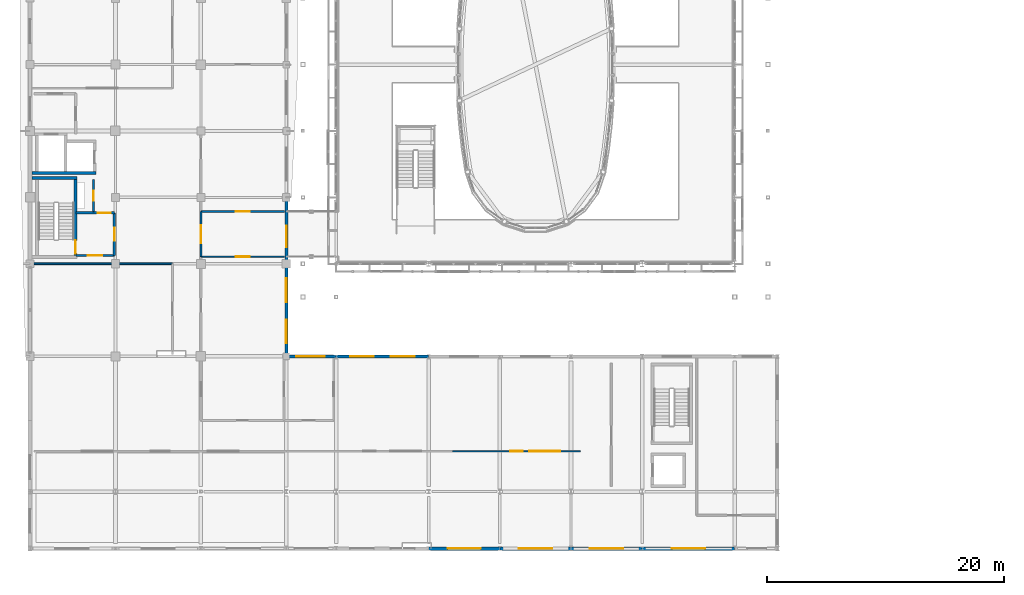
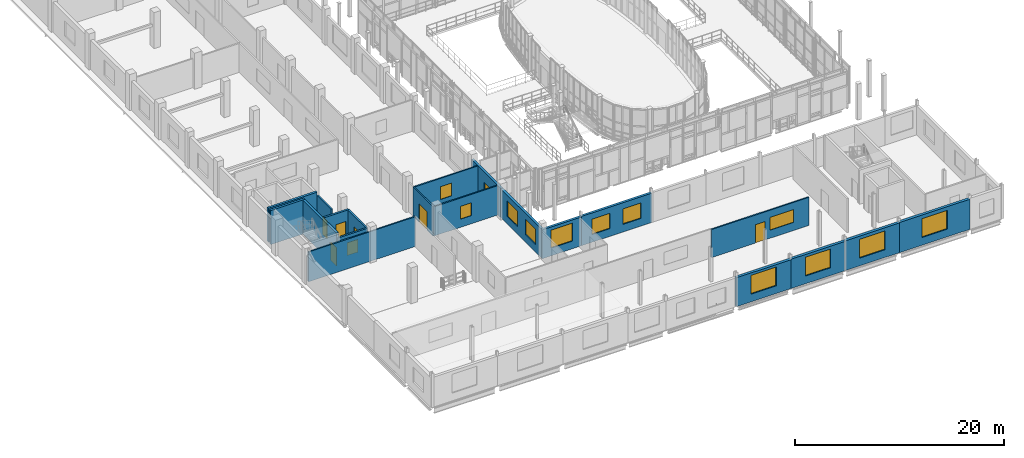
# One storey, part 93 of 121: 20 walls, 13 windows, 7 doors, 20 openings.
"""IFC4 building model written with IfcOpenShell, lengths in metres."""

import ifcopenshell
import ifcopenshell.guid

model = None  # the IFC model being written
_history = None  # IfcOwnerHistory: only IFC2X3 demands one
_inside = {}  # id of a spatial element -> (the spatial element, [elements in it])
_under = {}  # id of a project, library or spatial element -> (it, [spatial elements below it])
_declared = {}  # id of a project -> (the project, [libraries it declares])
_typed = {}  # id of a type object -> (the type object, [elements of that type])
_made_of = {}  # id of a material, layer set ... -> (it, [elements and type objects made of it])


def new_model(schema):
    """Start an empty IFC model of exactly this schema.

    Asked for "IFC4X3", IfcOpenShell would pick the latest addendum, in which some entities
    have other attributes; the version numbers below select the first issue.
    IFC2X3 requires an IfcOwnerHistory on every rooted entity: one is made here for all.
    """
    global model, _history
    if schema == "IFC4X3":
        model = ifcopenshell.file(schema_version=(4, 3, 0, 0))
    else:
        model = ifcopenshell.file(schema=schema)
    _inside.clear()
    _under.clear()
    _declared.clear()
    _typed.clear()
    _made_of.clear()
    _history = None
    if model.schema == "IFC2X3":
        org = make("IfcOrganization", Name="unknown")
        user = make(
            "IfcPersonAndOrganization",
            ThePerson=make("IfcPerson", FamilyName="unknown"),
            TheOrganization=org,
        )
        app = make(
            "IfcApplication",
            ApplicationDeveloper=org,
            Version="unknown",
            ApplicationFullName="unknown",
            ApplicationIdentifier="unknown",
        )
        _history = make(
            "IfcOwnerHistory",
            OwningUser=user,
            OwningApplication=app,
            ChangeAction="ADDED",
            CreationDate=0,
        )
    return model


def make(cls, **values):
    """One entity of the class cls with the attributes given. An attribute that is None is left unset."""
    return model.create_entity(
        cls, **{name: value for name, value in values.items() if value is not None}
    )


def rooted(cls, **values):
    """An entity with a GlobalId (a new one), such as an element, a storey or a relation."""
    return make(cls, GlobalId=ifcopenshell.guid.new(), OwnerHistory=_history, **values)


def si_unit(unit_type, name, prefix=None):
    """IfcSIUnit, for example si_unit("LENGTHUNIT", "METRE", prefix="MILLI")."""
    return make("IfcSIUnit", UnitType=unit_type, Prefix=prefix, Name=name)


def assignment(units):
    """IfcUnitAssignment: the units of a project."""
    return None if units is None else make("IfcUnitAssignment", Units=units)


def point(xyz):
    """IfcCartesianPoint."""
    return None if xyz is None else make("IfcCartesianPoint", Coordinates=xyz)


def direction(xyz):
    """IfcDirection."""
    return None if xyz is None else make("IfcDirection", DirectionRatios=xyz)


def frame(location, z_axis=None, x_axis=None):
    """IfcAxis2Placement3D, a coordinate frame: its origin and axes. An axis left out is left unset."""
    return make(
        "IfcAxis2Placement3D",
        Location=point(location),
        Axis=direction(z_axis),
        RefDirection=direction(x_axis),
    )


def frame_2d(location, x_axis=None):
    """IfcAxis2Placement2D, a coordinate frame in the plane: its origin and x axis."""
    return make(
        "IfcAxis2Placement2D", Location=point(location), RefDirection=direction(x_axis)
    )


def origin():
    """The frame at (0, 0, 0) with its axes left unset."""
    return frame((0.0, 0.0, 0.0))


def place(relative_to, where):
    """IfcLocalPlacement: puts the frame where relative to a parent placement (None: the world)."""
    return make(
        "IfcLocalPlacement", PlacementRelTo=relative_to, RelativePlacement=where
    )


def context(
    kind, dimensions, precision=None, world=None, true_north=None, identifier=None
):
    """IfcGeometricRepresentationContext, for example the 3D "Model" context."""
    return make(
        "IfcGeometricRepresentationContext",
        ContextIdentifier=identifier,
        ContextType=kind,
        CoordinateSpaceDimension=dimensions,
        Precision=precision,
        WorldCoordinateSystem=world,
        TrueNorth=true_north,
    )


def subcontext(parent, identifier, kind, view, scale=None):
    """IfcGeometricRepresentationSubContext, for example "Body" below "Model"."""
    return make(
        "IfcGeometricRepresentationSubContext",
        ContextIdentifier=identifier,
        ContextType=kind,
        ParentContext=parent,
        TargetScale=scale,
        TargetView=view,
    )


def project(units=None, contexts=None):
    """IfcProject with its units and contexts."""
    return rooted(
        "IfcProject",
        Name="project",
        RepresentationContexts=contexts,
        UnitsInContext=assignment(units),
    )


def spatial(cls, under=None, at=None, **own):
    """A site, building, storey or space (cls), placed at a placement, below another one or the project."""
    s = rooted(cls, ObjectPlacement=at, **own)
    if under is not None:
        _under.setdefault(under.id(), (under, []))[1].append(s)
    return s


def profile(cls, at=None, kind="AREA", **sizes):
    """A parametric profile (cls). Its sizes go by their IFC names, for example OverallWidth=200.0."""
    return make(cls, ProfileType=kind, Position=at, **sizes)


def rectangle(**sizes):
    """IfcRectangleProfileDef."""
    return profile("IfcRectangleProfileDef", **sizes)


def extrude(swept, where, along, depth):
    """IfcExtrudedAreaSolid: the profile swept, set in the frame where, extruded along a direction by depth."""
    return make(
        "IfcExtrudedAreaSolid",
        SweptArea=swept,
        Position=where,
        ExtrudedDirection=direction(along),
        Depth=depth,
    )


def shape(context_of_items, identifier, shape_type, items):
    """IfcShapeRepresentation: the items that make up one representation, for example the "Body"."""
    return make(
        "IfcShapeRepresentation",
        ContextOfItems=context_of_items,
        RepresentationIdentifier=identifier,
        RepresentationType=shape_type,
        Items=items,
    )


def material(Name=None, Category=None):
    """IfcMaterial."""
    return make("IfcMaterial", Name=Name, Category=Category)


def layer(
    of_material, thickness, ventilated=None, Name=None, Category=None, Priority=None
):
    """IfcMaterialLayer: one layer of a wall or slab, of a material (None: an air gap)."""
    return make(
        "IfcMaterialLayer",
        Material=of_material,
        LayerThickness=thickness,
        IsVentilated=ventilated,
        Name=Name,
        Category=Category,
        Priority=Priority,
    )


def layer_set(layers, Name=None):
    """IfcMaterialLayerSet."""
    return make("IfcMaterialLayerSet", MaterialLayers=layers, LayerSetName=Name)


def made_of(thing, what):
    """Note that an element or type object is made of a material, layer set ...; save() writes the relation."""
    if what is not None:
        _made_of.setdefault(what.id(), (what, []))[1].append(thing)
    return thing


def type_object(cls, material=None, **own):
    """A type object (cls), such as IfcWallType, which elements share."""
    return made_of(rooted(cls, **own), material)


def element(
    cls,
    number,
    at=None,
    inside=None,
    cuts=None,
    type_object=None,
    material=None,
    context=None,
    identifier="Body",
    shape_type=None,
    held_by="IfcProductDefinitionShape",
    body=None,
    shapes=None,
    **own,
):
    """One element of the class cls, such as IfcWall. Its Tag is "e" and its number.

    at: its placement. inside: the storey or other place that contains it. cuts: it is an
    opening in that element (IfcRelVoidsElement). A single representation is given by context,
    identifier, shape_type and body (its items); several are given by shapes. held_by: the class
    of the entity that holds the representations. save() writes the other relations.
    """
    e = rooted(cls, Tag="e%d" % number, ObjectPlacement=at, **own)
    if body is not None:
        shapes = [shape(context, identifier, shape_type, body)]
    if shapes is not None:
        e.Representation = make(held_by, Representations=shapes)
    if inside is not None:
        _inside.setdefault(inside.id(), (inside, []))[1].append(e)
    if cuts is not None:
        rooted(
            "IfcRelVoidsElement", RelatingBuildingElement=cuts, RelatedOpeningElement=e
        )
    if type_object is not None:
        _typed.setdefault(type_object.id(), (type_object, []))[1].append(e)
    return made_of(e, material)


def fill(opening, filler):
    """IfcRelFillsElement: the door or window that sits in an opening."""
    return rooted(
        "IfcRelFillsElement",
        RelatingOpeningElement=opening,
        RelatedBuildingElement=filler,
    )


def aggregate(whole, parts):
    """IfcRelAggregates: a whole, such as a stair, and the parts it consists of."""
    return rooted("IfcRelAggregates", RelatingObject=whole, RelatedObjects=parts)


def save(model, path):
    """Write the relations noted so far, then the file.

    IfcRelAggregates (storeys below a building ...), IfcRelContainedInSpatialStructure (elements
    in a storey), IfcRelDefinesByType, IfcRelAssociatesMaterial and IfcRelDeclares: one each for
    every whole, place, type object, material and project.
    """
    for whole, parts in _under.values():
        aggregate(whole, parts)
    for where, things in _inside.values():
        rooted(
            "IfcRelContainedInSpatialStructure",
            RelatedElements=things,
            RelatingStructure=where,
        )
    for kind, things in _typed.values():
        rooted("IfcRelDefinesByType", RelatedObjects=things, RelatingType=kind)
    for what, things in _made_of.values():
        rooted("IfcRelAssociatesMaterial", RelatedObjects=things, RelatingMaterial=what)
    for by, libraries in _declared.values():
        rooted("IfcRelDeclares", RelatingContext=by, RelatedDefinitions=libraries)
    model.write(path)


model = new_model("IFC4")

# Units and contexts
model_context = context("Model", 3, precision=1e-05, world=origin(), true_north=direction((0.0, 1.0)))
body_context = subcontext(model_context, "Body", "Model", "MODEL_VIEW")
ifc_project = project(units=[si_unit("LENGTHUNIT", "METRE"), si_unit("AREAUNIT", "SQUARE_METRE"), si_unit("VOLUMEUNIT", "CUBIC_METRE"), si_unit("PLANEANGLEUNIT", "RADIAN"), si_unit("MASSUNIT", "GRAM", prefix="KILO")], contexts=[model_context])

# Site, building, storey
site_placement = place(None, origin())
site = spatial("IfcSite", under=ifc_project, at=site_placement, CompositionType="ELEMENT")
building_placement = place(site_placement, origin())
building = spatial("IfcBuilding", under=site, at=building_placement, Name="Vinh Khe Railworks Police Headquarters", CompositionType="ELEMENT")
storey_placement = place(building_placement, frame((0.0, 0.0, 4.800048828125)))
storey = spatial("IfcBuildingStorey", under=building, at=storey_placement, Name="L01", CompositionType="ELEMENT", Elevation=4.800048828125)

# Wall
ifc_material_1 = material(Name="Concrete C40/50 (B40)", Category="concrete")
ifc_layer_1 = layer(ifc_material_1, 0.25)
ifc_layer_set_1 = layer_set([ifc_layer_1], Name="Concrete C40/50 (B40)")
wall_type_1 = type_object("IfcWallType", Name="Core Shear Wall 250", PredefinedType="SHEAR", material=ifc_layer_set_1)
wall_1_placement = place(storey_placement, frame((0.75, 32.425048828125, 0.0), z_axis=(0.0, 0.0, 1.0), x_axis=(1.0, 0.0, 0.0)))
element("IfcWall", 1, at=wall_1_placement, inside=storey, type_object=wall_type_1, Name="Core C1 STAIR-N Shear Wall (L01)", PredefinedType="SHEAR", context=body_context, shape_type="SweptSolid", body=[
    extrude(rectangle(XDim=3.800048828125, YDim=0.25, at=frame_2d((1.89990234375, 0.0))), origin(), (0.0, 0.0, 1.0), 3.97998046875),
])

# Wall, opening, door
wall_2_placement = place(storey_placement, frame((4.425048828125, 25.89990234375, 0.0), z_axis=(0.0, 0.0, 1.0), x_axis=(0.0, 1.0, 0.0)))
wall_2 = element("IfcWall", 2, at=wall_2_placement, inside=storey, type_object=wall_type_1, Name="Core C1 STAIR-E Shear Wall (L01)", PredefinedType="SHEAR", context=body_context, shape_type="SweptSolid", body=[
    extrude(rectangle(XDim=6.400146484375, YDim=0.25, at=frame_2d((3.2001953125, 0.0))), origin(), (0.0, 0.0, 1.0), 3.97998046875),
])
opening_1_placement = place(wall_2_placement, frame((0.169921875, 0.0, 0.0)))
opening_1 = element("IfcOpeningElement", 3, at=opening_1_placement, cuts=wall_2, Name="Opening FD-01", PredefinedType="OPENING", context=body_context, shape_type="SweptSolid", body=[
    extrude(rectangle(XDim=1.10009765625, YDim=2.14990234375, at=frame_2d((0.550048828125, 1.074951171875))), frame((0.0, 0.139892578125, 0.0), z_axis=(0.0, -1.0, 0.0), x_axis=(1.0, 0.0, 0.0)), (0.0, 0.0, 1.0), 0.27978515625),
])
ifc_material_2 = material(Name="Painted galvanised steel", Category="steel")
door_type_1 = type_object("IfcDoorType", Name="FD-1100x2150", OperationType="NOTDEFINED", PredefinedType="DOOR", material=ifc_material_2)
door_1_placement = place(opening_1_placement, frame((1.10009765625, 0.0, 0.0), z_axis=(0.0, 0.0, 1.0), x_axis=(-1.0, 0.0, 0.0)))
door_1 = element("IfcDoor", 4, at=door_1_placement, inside=storey, type_object=door_type_1, Name="Escape Stair ST-01 Fire Door L01", OperationType="SINGLE_SWING_RIGHT", OverallHeight=2.14990234375, OverallWidth=1.10009765625, PredefinedType="DOOR", context=body_context, shape_type="SweptSolid", body=[
    extrude(rectangle(XDim=1.10009765625, YDim=2.14990234375, at=frame_2d((0.550048828125, 1.074951171875))), frame((0.0, 0.02490234375, 0.0), z_axis=(0.0, -1.0, 0.0), x_axis=(1.0, 0.0, 0.0)), (0.0, 0.0, 1.0), 0.050048828125),
])
fill(opening_1, door_1)

# Wall
wall_3_placement = place(storey_placement, frame((0.75, 32.875, 0.0), z_axis=(0.0, 0.0, 1.0), x_axis=(1.0, 0.0, 0.0)))
element("IfcWall", 5, at=wall_3_placement, inside=storey, type_object=wall_type_1, Name="Core C1 FL-S Lift Shaft Wall (L01)", PredefinedType="SHEAR", context=body_context, shape_type="SweptSolid", body=[
    extrude(rectangle(XDim=5.39990234375, YDim=0.25, at=frame_2d((2.699951171875, 0.0))), origin(), (0.0, 0.0, 1.0), 3.97998046875),
])

# Wall, opening, window
ifc_material_3 = material(Name="Clay brickwork", Category="masonry")
ifc_layer_2 = layer(ifc_material_3, 0.260009765625)
ifc_layer_set_2 = layer_set([ifc_layer_2], Name="Clay brickwork")
wall_type_2 = type_object("IfcWallType", Name="EW-BRK-260", PredefinedType="SOLIDWALL", material=ifc_layer_set_2)
wall_4_placement = place(storey_placement, frame((22.070068359375, 17.39990234375, 0.0), z_axis=(0.0, 0.0, 1.0), x_axis=(1.0, 0.0, 0.0)))
wall_4 = element("IfcWall", 6, at=wall_4_placement, inside=storey, type_object=wall_type_2, Name="Exterior Brick Wall EW-L01-V4N-01", PredefinedType="SOLIDWALL", context=body_context, shape_type="SweptSolid", body=[
    extrude(rectangle(XDim=4.329833984375, YDim=0.260009765625, at=frame_2d((2.1650390625, 0.0))), origin(), (0.0, 0.0, 1.0), 3.375),
])
opening_2_placement = place(wall_4_placement, frame((0.965087890625, 0.0, 0.89990234375)))
opening_2 = element("IfcOpeningElement", 7, at=opening_2_placement, cuts=wall_4, Name="Opening WN-02", PredefinedType="OPENING", context=body_context, shape_type="SweptSolid", body=[
    extrude(rectangle(XDim=2.39990234375, YDim=2.10009765625, at=frame_2d((1.199951171875, 1.050048828125))), frame((0.0, 0.14501953125, 0.0), z_axis=(0.0, -1.0, 0.0), x_axis=(1.0, 0.0, 0.0)), (0.0, 0.0, 1.0), 0.289794921875),
])
ifc_material_4 = material(Name="Double-glazed solar-control glass in dark steel frame", Category="steel")
window_type_1 = type_object("IfcWindowType", Name="WIN-WN-02", PartitioningType="DOUBLE_PANEL_VERTICAL", PredefinedType="WINDOW", material=ifc_material_4)
window_1_placement = place(opening_2_placement, origin())
window_1 = element("IfcWindow", 8, at=window_1_placement, inside=storey, type_object=window_type_1, Name="Casement Window WN-02", OverallHeight=2.10009765625, OverallWidth=2.39990234375, PartitioningType="SINGLE_PANEL", PredefinedType="WINDOW", context=body_context, shape_type="SweptSolid", body=[
    extrude(rectangle(XDim=2.39990234375, YDim=2.10009765625, at=frame_2d((1.199951171875, 1.050048828125))), frame((0.0, 0.030029296875, 0.0), z_axis=(0.0, -1.0, 0.0), x_axis=(1.0, 0.0, 0.0)), (0.0, 0.0, 1.0), 0.06005859375),
])
fill(opening_2, window_1)

# Wall, openings, windows
wall_5_placement = place(storey_placement, frame((26.39990234375, 17.39990234375, 0.0), z_axis=(0.0, 0.0, 1.0), x_axis=(1.0, 0.0, 0.0)))
wall_5 = element("IfcWall", 9, at=wall_5_placement, inside=storey, type_object=wall_type_2, Name="Exterior Brick Wall EW-L01-V4N-02", PredefinedType="SOLIDWALL", context=body_context, shape_type="SweptSolid", body=[
    extrude(rectangle(XDim=7.800048828125, YDim=0.260009765625, at=frame_2d((3.89990234375, 0.0))), origin(), (0.0, 0.0, 1.0), 3.425048828125),
])
opening_3_placement = place(wall_5_placement, frame((1.18408203125, 0.0, 0.89990234375)))
opening_3 = element("IfcOpeningElement", 10, at=opening_3_placement, cuts=wall_5, Name="Opening WN-04", PredefinedType="OPENING", context=body_context, shape_type="SweptSolid", body=[
    extrude(rectangle(XDim=2.0, YDim=1.800048828125, at=frame_2d((1.0, 0.89990234375))), frame((0.0, 0.14501953125, 0.0), z_axis=(0.0, -1.0, 0.0), x_axis=(1.0, 0.0, 0.0)), (0.0, 0.0, 1.0), 0.289794921875),
])
opening_4_placement = place(wall_5_placement, frame((4.615966796875, 0.0, 0.89990234375)))
opening_4 = element("IfcOpeningElement", 11, at=opening_4_placement, cuts=wall_5, Name="Opening WN-04", PredefinedType="OPENING", context=body_context, shape_type="SweptSolid", body=[
    extrude(rectangle(XDim=2.0, YDim=1.800048828125, at=frame_2d((1.0, 0.89990234375))), frame((0.0, 0.14501953125, 0.0), z_axis=(0.0, -1.0, 0.0), x_axis=(1.0, 0.0, 0.0)), (0.0, 0.0, 1.0), 0.289794921875),
])
window_type_2 = type_object("IfcWindowType", Name="WIN-WN-04", PartitioningType="DOUBLE_PANEL_VERTICAL", PredefinedType="WINDOW", material=ifc_material_4)
window_2_placement = place(opening_3_placement, origin())
window_2 = element("IfcWindow", 12, at=window_2_placement, inside=storey, type_object=window_type_2, Name="Casement Window WN-04", OverallHeight=1.800048828125, OverallWidth=2.0, PartitioningType="SINGLE_PANEL", PredefinedType="WINDOW", context=body_context, shape_type="SweptSolid", body=[
    extrude(rectangle(XDim=2.0, YDim=1.800048828125, at=frame_2d((1.0, 0.89990234375))), frame((0.0, 0.030029296875, 0.0), z_axis=(0.0, -1.0, 0.0), x_axis=(1.0, 0.0, 0.0)), (0.0, 0.0, 1.0), 0.06005859375),
])
fill(opening_3, window_2)
window_3_placement = place(opening_4_placement, origin())
window_3 = element("IfcWindow", 13, at=window_3_placement, inside=storey, type_object=window_type_2, Name="Casement Window WN-04", OverallHeight=1.800048828125, OverallWidth=2.0, PartitioningType="SINGLE_PANEL", PredefinedType="WINDOW", context=body_context, shape_type="SweptSolid", body=[
    extrude(rectangle(XDim=2.0, YDim=1.800048828125, at=frame_2d((1.0, 0.89990234375))), frame((0.0, 0.030029296875, 0.0), z_axis=(0.0, -1.0, 0.0), x_axis=(1.0, 0.0, 0.0)), (0.0, 0.0, 1.0), 0.06005859375),
])
fill(opening_4, window_3)

wall_6_placement = place(storey_placement, frame((22.199951171875, 17.27001953125, 0.0), z_axis=(0.0, 0.0, 1.0), x_axis=(0.0, 1.0, 0.0)))
wall_6 = element("IfcWall", 14, at=wall_6_placement, inside=storey, type_object=wall_type_2, Name="Exterior Brick Wall EW-L01-V5E-01", PredefinedType="SOLIDWALL", context=body_context, shape_type="SweptSolid", body=[
    extrude(rectangle(XDim=7.929931640625, YDim=0.260009765625, at=frame_2d((3.96484375, 0.0))), origin(), (0.0, 0.0, 1.0), 3.375),
])
opening_5_placement = place(wall_6_placement, frame((1.220458984375, 0.0, 0.89990234375)))
opening_5 = element("IfcOpeningElement", 15, at=opening_5_placement, cuts=wall_6, Name="Opening WN-04", PredefinedType="OPENING", context=body_context, shape_type="SweptSolid", body=[
    extrude(rectangle(XDim=2.0, YDim=1.800048828125, at=frame_2d((1.0, 0.89990234375))), frame((0.0, 0.14501953125, 0.0), z_axis=(0.0, -1.0, 0.0), x_axis=(1.0, 0.0, 0.0)), (0.0, 0.0, 1.0), 0.289794921875),
])
opening_6_placement = place(wall_6_placement, frame((4.709716796875, 0.0, 0.89990234375)))
opening_6 = element("IfcOpeningElement", 16, at=opening_6_placement, cuts=wall_6, Name="Opening WN-04", PredefinedType="OPENING", context=body_context, shape_type="SweptSolid", body=[
    extrude(rectangle(XDim=2.0, YDim=1.800048828125, at=frame_2d((1.0, 0.89990234375))), frame((0.0, 0.14501953125, 0.0), z_axis=(0.0, -1.0, 0.0), x_axis=(1.0, 0.0, 0.0)), (0.0, 0.0, 1.0), 0.289794921875),
])
window_4_placement = place(opening_5_placement, origin())
window_4 = element("IfcWindow", 17, at=window_4_placement, inside=storey, type_object=window_type_2, Name="Casement Window WN-04", OverallHeight=1.800048828125, OverallWidth=2.0, PartitioningType="SINGLE_PANEL", PredefinedType="WINDOW", context=body_context, shape_type="SweptSolid", body=[
    extrude(rectangle(XDim=2.0, YDim=1.800048828125, at=frame_2d((1.0, 0.89990234375))), frame((0.0, 0.030029296875, 0.0), z_axis=(0.0, -1.0, 0.0), x_axis=(1.0, 0.0, 0.0)), (0.0, 0.0, 1.0), 0.06005859375),
])
fill(opening_5, window_4)
window_5_placement = place(opening_6_placement, origin())
window_5 = element("IfcWindow", 18, at=window_5_placement, inside=storey, type_object=window_type_2, Name="Casement Window WN-04", OverallHeight=1.800048828125, OverallWidth=2.0, PartitioningType="SINGLE_PANEL", PredefinedType="WINDOW", context=body_context, shape_type="SweptSolid", body=[
    extrude(rectangle(XDim=2.0, YDim=1.800048828125, at=frame_2d((1.0, 0.89990234375))), frame((0.0, 0.030029296875, 0.0), z_axis=(0.0, -1.0, 0.0), x_axis=(1.0, 0.0, 0.0)), (0.0, 0.0, 1.0), 0.06005859375),
])
fill(opening_6, window_5)

# Wall, opening, door
wall_7_placement = place(storey_placement, frame((22.199951171875, 25.199951171875, 0.0), z_axis=(0.0, 0.0, 1.0), x_axis=(0.0, 1.0, 0.0)))
wall_7 = element("IfcWall", 19, at=wall_7_placement, inside=storey, type_object=wall_type_2, Name="Exterior Brick Wall EW-L01-V5E-02", PredefinedType="SOLIDWALL", context=body_context, shape_type="SweptSolid", body=[
    extrude(rectangle(XDim=5.60009765625, YDim=0.260009765625, at=frame_2d((2.800048828125, 0.0))), origin(), (0.0, 0.0, 1.0), 3.425048828125),
])
opening_7_placement = place(wall_7_placement, frame((1.39990234375, 0.0, 0.0)))
opening_7 = element("IfcOpeningElement", 20, at=opening_7_placement, cuts=wall_7, Name="Opening ED-03", PredefinedType="OPENING", context=body_context, shape_type="SweptSolid", body=[
    extrude(rectangle(XDim=1.800048828125, YDim=2.199951171875, at=frame_2d((0.89990234375, 1.10009765625))), frame((0.0, 0.14501953125, 0.0), z_axis=(0.0, -1.0, 0.0), x_axis=(1.0, 0.0, 0.0)), (0.0, 0.0, 1.0), 0.289794921875),
])
ifc_material_5 = material(Name="Dark anodised aluminium and solar-control glass", Category="aluminium")
door_type_2 = type_object("IfcDoorType", Name="ED-TER-1800", OperationType="DOUBLE_DOOR_SINGLE_SWING", PredefinedType="DOOR", material=ifc_material_5)
door_2_placement = place(opening_7_placement, frame((1.800048828125, 0.0, 0.0), z_axis=(0.0, 0.0, 1.0), x_axis=(-1.0, 0.0, 0.0)))
door_2 = element("IfcDoor", 21, at=door_2_placement, inside=storey, type_object=door_type_2, Name="Atrium Gallery Link Fire Door L01", OperationType="DOUBLE_DOOR_SINGLE_SWING", OverallHeight=2.199951171875, OverallWidth=1.800048828125, PredefinedType="DOOR", context=body_context, shape_type="SweptSolid", body=[
    extrude(rectangle(XDim=1.800048828125, YDim=2.199951171875, at=frame_2d((0.89990234375, 1.10009765625))), frame((0.0, 0.02490234375, 0.0), z_axis=(0.0, -1.0, 0.0), x_axis=(1.0, 0.0, 0.0)), (0.0, 0.0, 1.0), 0.050048828125),
])
fill(opening_7, door_2)

# Wall, opening, window
ifc_layer_3 = layer(ifc_material_3, 0.300048828125)
ifc_layer_set_3 = layer_set([ifc_layer_3], Name="Clay brickwork")
wall_type_3 = type_object("IfcWallType", Name="EW-BRK-300", PredefinedType="SOLIDWALL", material=ifc_layer_set_3)
wall_8_placement = place(storey_placement, frame((34.199951171875, 1.199951171875, 0.0), z_axis=(0.0, 0.0, 1.0), x_axis=(1.0, 0.0, 0.0)))
wall_8 = element("IfcWall", 22, at=wall_8_placement, inside=storey, type_object=wall_type_3, Name="Exterior Brick Wall EW-L01-V4S-06", PredefinedType="SOLIDWALL", context=body_context, shape_type="SweptSolid", body=[
    extrude(rectangle(XDim=6.0, YDim=0.300048828125, at=frame_2d((3.0, 0.0))), origin(), (0.0, 0.0, 1.0), 3.375),
])
opening_8_placement = place(wall_8_placement, frame((1.60009765625, 0.0, 0.89990234375)))
opening_8 = element("IfcOpeningElement", 23, at=opening_8_placement, cuts=wall_8, Name="Opening WN-01", PredefinedType="OPENING", context=body_context, shape_type="SweptSolid", body=[
    extrude(rectangle(XDim=2.800048828125, YDim=2.199951171875, at=frame_2d((1.39990234375, 1.10009765625))), frame((0.0, 0.1650390625, 0.0), z_axis=(0.0, -1.0, 0.0), x_axis=(1.0, 0.0, 0.0)), (0.0, 0.0, 1.0), 0.329833984375),
])
window_type_3 = type_object("IfcWindowType", Name="WIN-WN-01", PartitioningType="DOUBLE_PANEL_VERTICAL", PredefinedType="WINDOW", material=ifc_material_4)
window_6_placement = place(opening_8_placement, origin())
window_6 = element("IfcWindow", 24, at=window_6_placement, inside=storey, type_object=window_type_3, Name="Casement Window WN-01", OverallHeight=2.199951171875, OverallWidth=2.800048828125, PartitioningType="SINGLE_PANEL", PredefinedType="WINDOW", context=body_context, shape_type="SweptSolid", body=[
    extrude(rectangle(XDim=2.800048828125, YDim=2.199951171875, at=frame_2d((1.39990234375, 1.10009765625))), frame((0.0, 0.030029296875, 0.0), z_axis=(0.0, -1.0, 0.0), x_axis=(1.0, 0.0, 0.0)), (0.0, 0.0, 1.0), 0.06005859375),
])
fill(opening_8, window_6)

wall_9_placement = place(storey_placement, frame((40.199951171875, 1.199951171875, 0.0), z_axis=(0.0, 0.0, 1.0), x_axis=(1.0, 0.0, 0.0)))
wall_9 = element("IfcWall", 25, at=wall_9_placement, inside=storey, type_object=wall_type_3, Name="Exterior Brick Wall EW-L01-V4S-07", PredefinedType="SOLIDWALL", context=body_context, shape_type="SweptSolid", body=[
    extrude(rectangle(XDim=6.0, YDim=0.300048828125, at=frame_2d((3.0, 0.0))), origin(), (0.0, 0.0, 1.0), 3.425048828125),
])
opening_9_placement = place(wall_9_placement, frame((1.60009765625, 0.0, 0.89990234375)))
opening_9 = element("IfcOpeningElement", 26, at=opening_9_placement, cuts=wall_9, Name="Opening WN-01", PredefinedType="OPENING", context=body_context, shape_type="SweptSolid", body=[
    extrude(rectangle(XDim=2.800048828125, YDim=2.199951171875, at=frame_2d((1.39990234375, 1.10009765625))), frame((0.0, 0.1650390625, 0.0), z_axis=(0.0, -1.0, 0.0), x_axis=(1.0, 0.0, 0.0)), (0.0, 0.0, 1.0), 0.329833984375),
])
window_7_placement = place(opening_9_placement, origin())
window_7 = element("IfcWindow", 27, at=window_7_placement, inside=storey, type_object=window_type_3, Name="Casement Window WN-01", OverallHeight=2.199951171875, OverallWidth=2.800048828125, PartitioningType="SINGLE_PANEL", PredefinedType="WINDOW", context=body_context, shape_type="SweptSolid", body=[
    extrude(rectangle(XDim=2.800048828125, YDim=2.199951171875, at=frame_2d((1.39990234375, 1.10009765625))), frame((0.0, 0.030029296875, 0.0), z_axis=(0.0, -1.0, 0.0), x_axis=(1.0, 0.0, 0.0)), (0.0, 0.0, 1.0), 0.06005859375),
])
fill(opening_9, window_7)

wall_10_placement = place(storey_placement, frame((46.199951171875, 1.199951171875, 0.0), z_axis=(0.0, 0.0, 1.0), x_axis=(1.0, 0.0, 0.0)))
wall_10 = element("IfcWall", 28, at=wall_10_placement, inside=storey, type_object=wall_type_3, Name="Exterior Brick Wall EW-L01-V4S-08", PredefinedType="SOLIDWALL", context=body_context, shape_type="SweptSolid", body=[
    extrude(rectangle(XDim=6.0, YDim=0.300048828125, at=frame_2d((3.0, 0.0))), origin(), (0.0, 0.0, 1.0), 3.474853515625),
])
opening_10_placement = place(wall_10_placement, frame((1.60009765625, 0.0, 0.89990234375)))
opening_10 = element("IfcOpeningElement", 29, at=opening_10_placement, cuts=wall_10, Name="Opening WN-01", PredefinedType="OPENING", context=body_context, shape_type="SweptSolid", body=[
    extrude(rectangle(XDim=2.800048828125, YDim=2.199951171875, at=frame_2d((1.39990234375, 1.10009765625))), frame((0.0, 0.1650390625, 0.0), z_axis=(0.0, -1.0, 0.0), x_axis=(1.0, 0.0, 0.0)), (0.0, 0.0, 1.0), 0.329833984375),
])
window_8_placement = place(opening_10_placement, origin())
window_8 = element("IfcWindow", 30, at=window_8_placement, inside=storey, type_object=window_type_3, Name="Casement Window WN-01", OverallHeight=2.199951171875, OverallWidth=2.800048828125, PartitioningType="SINGLE_PANEL", PredefinedType="WINDOW", context=body_context, shape_type="SweptSolid", body=[
    extrude(rectangle(XDim=2.800048828125, YDim=2.199951171875, at=frame_2d((1.39990234375, 1.10009765625))), frame((0.0, 0.030029296875, 0.0), z_axis=(0.0, -1.0, 0.0), x_axis=(1.0, 0.0, 0.0)), (0.0, 0.0, 1.0), 0.06005859375),
])
fill(opening_10, window_8)

wall_11_placement = place(storey_placement, frame((52.199951171875, 1.199951171875, 0.0), z_axis=(0.0, 0.0, 1.0), x_axis=(1.0, 0.0, 0.0)))
wall_11 = element("IfcWall", 31, at=wall_11_placement, inside=storey, type_object=wall_type_3, Name="Exterior Brick Wall EW-L01-V4S-09", PredefinedType="SOLIDWALL", context=body_context, shape_type="SweptSolid", body=[
    extrude(rectangle(XDim=7.800048828125, YDim=0.300048828125, at=frame_2d((3.89990234375, 0.0))), origin(), (0.0, 0.0, 1.0), 3.52490234375),
])
opening_11_placement = place(wall_11_placement, frame((2.5, 0.0, 0.89990234375)))
opening_11 = element("IfcOpeningElement", 32, at=opening_11_placement, cuts=wall_11, Name="Opening WN-01", PredefinedType="OPENING", context=body_context, shape_type="SweptSolid", body=[
    extrude(rectangle(XDim=2.800048828125, YDim=2.199951171875, at=frame_2d((1.39990234375, 1.10009765625))), frame((0.0, 0.1650390625, 0.0), z_axis=(0.0, -1.0, 0.0), x_axis=(1.0, 0.0, 0.0)), (0.0, 0.0, 1.0), 0.329833984375),
])
window_9_placement = place(opening_11_placement, origin())
window_9 = element("IfcWindow", 33, at=window_9_placement, inside=storey, type_object=window_type_3, Name="Casement Window WN-01", OverallHeight=2.199951171875, OverallWidth=2.800048828125, PartitioningType="SINGLE_PANEL", PredefinedType="WINDOW", context=body_context, shape_type="SweptSolid", body=[
    extrude(rectangle(XDim=2.800048828125, YDim=2.199951171875, at=frame_2d((1.39990234375, 1.10009765625))), frame((0.0, 0.030029296875, 0.0), z_axis=(0.0, -1.0, 0.0), x_axis=(1.0, 0.0, 0.0)), (0.0, 0.0, 1.0), 0.06005859375),
])
fill(opening_11, window_9)

ifc_material_6 = material(Name="Autoclaved aerated concrete blockwork", Category="masonry")
ifc_layer_4 = layer(ifc_material_6, 0.199951171875)
ifc_layer_set_4 = layer_set([ifc_layer_4], Name="Autoclaved aerated concrete blockwork")
wall_type_4 = type_object("IfcWallType", Name="IW-BLK-200", PredefinedType="PARTITIONING", material=ifc_layer_set_4)
wall_12_placement = place(storey_placement, frame((4.449951171875, 25.89990234375, 0.0), z_axis=(0.0, 0.0, 1.0), x_axis=(1.0, 0.0, 0.0)))
wall_12 = element("IfcWall", 34, at=wall_12_placement, inside=storey, type_object=wall_type_4, Name="Interior Partition W-STL-C1-S-L01", PredefinedType="PARTITIONING", context=body_context, shape_type="SweptSolid", body=[
    extrude(rectangle(XDim=3.25, YDim=0.199951171875, at=frame_2d((1.625, 0.0))), origin(), (0.0, 0.0, 1.0), 3.425048828125),
])
opening_12_placement = place(wall_12_placement, frame((1.02490234375, 0.0, 0.949951171875)))
opening_12 = element("IfcOpeningElement", 35, at=opening_12_placement, cuts=wall_12, Name="Opening WN-10", PredefinedType="OPENING", context=body_context, shape_type="SweptSolid", body=[
    extrude(rectangle(XDim=1.199951171875, YDim=1.5, at=frame_2d((0.60009765625, 0.75))), frame((0.0, 0.11474609375, 0.0), z_axis=(0.0, -1.0, 0.0), x_axis=(1.0, 0.0, 0.0)), (0.0, 0.0, 1.0), 0.229736328125),
])
window_type_4 = type_object("IfcWindowType", Name="WIN-WN-10", PartitioningType="SINGLE_PANEL", PredefinedType="WINDOW", material=ifc_material_4)
window_10_placement = place(opening_12_placement, origin())
window_10 = element("IfcWindow", 36, at=window_10_placement, inside=storey, type_object=window_type_4, Name="Interior Acoustic Vision Window WN-10", OverallHeight=1.5, OverallWidth=1.199951171875, PartitioningType="SINGLE_PANEL", PredefinedType="WINDOW", context=body_context, shape_type="SweptSolid", body=[
    extrude(rectangle(XDim=1.199951171875, YDim=1.5, at=frame_2d((0.60009765625, 0.75))), frame((0.0, 0.030029296875, 0.0), z_axis=(0.0, -1.0, 0.0), x_axis=(1.0, 0.0, 0.0)), (0.0, 0.0, 1.0), 0.06005859375),
])
fill(opening_12, window_10)

# Wall, opening, door
wall_13_placement = place(storey_placement, frame((4.449951171875, 29.5, 0.0), z_axis=(0.0, 0.0, 1.0), x_axis=(1.0, 0.0, 0.0)))
wall_13 = element("IfcWall", 37, at=wall_13_placement, inside=storey, type_object=wall_type_4, Name="Interior Partition W-STL-C1-N-L01", PredefinedType="PARTITIONING", context=body_context, shape_type="SweptSolid", body=[
    extrude(rectangle(XDim=3.25, YDim=0.199951171875, at=frame_2d((1.625, 0.0))), origin(), (0.0, 0.0, 1.0), 3.425048828125),
])
opening_13_placement = place(wall_13_placement, frame((1.85009765625, 0.0, 0.0)))
opening_13 = element("IfcOpeningElement", 38, at=opening_13_placement, cuts=wall_13, Name="Opening FD-01", PredefinedType="OPENING", context=body_context, shape_type="SweptSolid", body=[
    extrude(rectangle(XDim=1.10009765625, YDim=2.14990234375, at=frame_2d((0.550048828125, 1.074951171875))), frame((0.0, 0.11474609375, 0.0), z_axis=(0.0, -1.0, 0.0), x_axis=(1.0, 0.0, 0.0)), (0.0, 0.0, 1.0), 0.229736328125),
])
door_3_placement = place(opening_13_placement, origin())
door_3 = element("IfcDoor", 39, at=door_3_placement, inside=storey, type_object=door_type_1, Name="Lift Lobby Stair Fire Door", OperationType="SINGLE_SWING_LEFT", OverallHeight=2.14990234375, OverallWidth=1.10009765625, PredefinedType="DOOR", context=body_context, shape_type="SweptSolid", body=[
    extrude(rectangle(XDim=1.10009765625, YDim=2.14990234375, at=frame_2d((0.550048828125, 1.074951171875))), frame((0.0, 0.02490234375, 0.0), z_axis=(0.0, -1.0, 0.0), x_axis=(1.0, 0.0, 0.0)), (0.0, 0.0, 1.0), 0.050048828125),
])
fill(opening_13, door_3)

wall_14_placement = place(storey_placement, frame((7.699951171875, 25.89990234375, 0.0), z_axis=(0.0, 0.0, 1.0), x_axis=(0.0, 1.0, 0.0)))
wall_14 = element("IfcWall", 40, at=wall_14_placement, inside=storey, type_object=wall_type_4, Name="Interior Partition W-STL-C1-E-L01", PredefinedType="PARTITIONING", context=body_context, shape_type="SweptSolid", body=[
    extrude(rectangle(XDim=3.60009765625, YDim=0.199951171875, at=frame_2d((1.800048828125, 0.0))), origin(), (0.0, 0.0, 1.0), 3.425048828125),
])
opening_14_placement = place(wall_14_placement, frame((1.25, 0.0, 0.0)))
opening_14 = element("IfcOpeningElement", 41, at=opening_14_placement, cuts=wall_14, Name="Opening FD-01", PredefinedType="OPENING", context=body_context, shape_type="SweptSolid", body=[
    extrude(rectangle(XDim=1.10009765625, YDim=2.14990234375, at=frame_2d((0.550048828125, 1.074951171875))), frame((0.0, 0.11474609375, 0.0), z_axis=(0.0, -1.0, 0.0), x_axis=(1.0, 0.0, 0.0)), (0.0, 0.0, 1.0), 0.229736328125),
])
door_4_placement = place(opening_14_placement, origin())
door_4 = element("IfcDoor", 42, at=door_4_placement, inside=storey, type_object=door_type_1, Name="Stair Vestibule Fire Door", OperationType="SINGLE_SWING_RIGHT", OverallHeight=2.14990234375, OverallWidth=1.10009765625, PredefinedType="DOOR", context=body_context, shape_type="SweptSolid", body=[
    extrude(rectangle(XDim=1.10009765625, YDim=2.14990234375, at=frame_2d((0.550048828125, 1.074951171875))), frame((0.0, 0.02490234375, 0.0), z_axis=(0.0, -1.0, 0.0), x_axis=(1.0, 0.0, 0.0)), (0.0, 0.0, 1.0), 0.050048828125),
])
fill(opening_14, door_4)

# Wall
ifc_material_7 = material(Name="Gypsum plasterboard on steel stud", Category="steel")
ifc_layer_5 = layer(ifc_material_7, 0.1201171875)
ifc_layer_set_5 = layer_set([ifc_layer_5], Name="Gypsum plasterboard on steel stud")
wall_type_5 = type_object("IfcWallType", Name="IW-PART-120", PredefinedType="PARTITIONING", material=ifc_layer_set_5)
wall_15_placement = place(storey_placement, frame((0.780029296875, 25.199951171875, 0.0), z_axis=(0.0, 0.0, 1.0), x_axis=(1.0, 0.0, 0.0)))
element("IfcWall", 43, at=wall_15_placement, inside=storey, type_object=wall_type_5, Name="Interior Partition W-L01-V5-WIT1-ENDN", PredefinedType="PARTITIONING", context=body_context, shape_type="SweptSolid", body=[
    extrude(rectangle(XDim=11.820068359375, YDim=0.14990234375, at=frame_2d((5.91015625, 0.0))), origin(), (0.0, 0.0, 1.0), 3.474853515625),
])

# Wall, opening, window
wall_16_placement = place(storey_placement, frame((15.0, 25.800048828125, 0.0), z_axis=(0.0, 0.0, 1.0), x_axis=(1.0, 0.0, 0.0)))
wall_16 = element("IfcWall", 44, at=wall_16_placement, inside=storey, type_object=wall_type_5, Name="Interior Partition W-L01-V5-GLK1-DIV", PredefinedType="PARTITIONING", context=body_context, shape_type="SweptSolid", body=[
    extrude(rectangle(XDim=7.06005859375, YDim=0.14990234375, at=frame_2d((3.530029296875, 0.0))), origin(), (0.0, 0.0, 1.0), 3.425048828125),
])
opening_15_placement = place(wall_16_placement, frame((2.929931640625, 0.0, 0.949951171875)))
opening_15 = element("IfcOpeningElement", 45, at=opening_15_placement, cuts=wall_16, Name="Opening WN-10", PredefinedType="OPENING", context=body_context, shape_type="SweptSolid", body=[
    extrude(rectangle(XDim=1.199951171875, YDim=1.5, at=frame_2d((0.60009765625, 0.75))), frame((0.0, 0.08984375, 0.0), z_axis=(0.0, -1.0, 0.0), x_axis=(1.0, 0.0, 0.0)), (0.0, 0.0, 1.0), 0.1796875),
])
window_11_placement = place(opening_15_placement, origin())
window_11 = element("IfcWindow", 46, at=window_11_placement, inside=storey, type_object=window_type_4, Name="Interior Acoustic Vision Window WN-10", OverallHeight=1.5, OverallWidth=1.199951171875, PartitioningType="SINGLE_PANEL", PredefinedType="WINDOW", context=body_context, shape_type="SweptSolid", body=[
    extrude(rectangle(XDim=1.199951171875, YDim=1.5, at=frame_2d((0.60009765625, 0.75))), frame((0.0, 0.030029296875, 0.0), z_axis=(0.0, -1.0, 0.0), x_axis=(1.0, 0.0, 0.0)), (0.0, 0.0, 1.0), 0.06005859375),
])
fill(opening_15, window_11)

wall_17_placement = place(storey_placement, frame((15.0, 29.60009765625, 0.0), z_axis=(0.0, 0.0, 1.0), x_axis=(1.0, 0.0, 0.0)))
wall_17 = element("IfcWall", 47, at=wall_17_placement, inside=storey, type_object=wall_type_5, Name="Interior Partition W-L01-V5-DET1-DIV", PredefinedType="PARTITIONING", context=body_context, shape_type="SweptSolid", body=[
    extrude(rectangle(XDim=7.06005859375, YDim=0.14990234375, at=frame_2d((3.530029296875, 0.0))), origin(), (0.0, 0.0, 1.0), 3.425048828125),
])
opening_16_placement = place(wall_17_placement, frame((2.929931640625, 0.0, 0.949951171875)))
opening_16 = element("IfcOpeningElement", 48, at=opening_16_placement, cuts=wall_17, Name="Opening WN-10", PredefinedType="OPENING", context=body_context, shape_type="SweptSolid", body=[
    extrude(rectangle(XDim=1.199951171875, YDim=1.5, at=frame_2d((0.60009765625, 0.75))), frame((0.0, 0.08984375, 0.0), z_axis=(0.0, -1.0, 0.0), x_axis=(1.0, 0.0, 0.0)), (0.0, 0.0, 1.0), 0.1796875),
])
window_12_placement = place(opening_16_placement, origin())
window_12 = element("IfcWindow", 49, at=window_12_placement, inside=storey, type_object=window_type_4, Name="Interior Acoustic Vision Window WN-10", OverallHeight=1.5, OverallWidth=1.199951171875, PartitioningType="SINGLE_PANEL", PredefinedType="WINDOW", context=body_context, shape_type="SweptSolid", body=[
    extrude(rectangle(XDim=1.199951171875, YDim=1.5, at=frame_2d((0.60009765625, 0.75))), frame((0.0, 0.030029296875, 0.0), z_axis=(0.0, -1.0, 0.0), x_axis=(1.0, 0.0, 0.0)), (0.0, 0.0, 1.0), 0.06005859375),
])
fill(opening_16, window_12)

# Wall, opening, door
ifc_material_8 = material(Name="Gypsum plasterboard on acoustic steel stud", Category="steel")
ifc_layer_6 = layer(ifc_material_8, 0.14990234375)
ifc_layer_set_6 = layer_set([ifc_layer_6], Name="Gypsum plasterboard on acoustic steel stud")
wall_type_6 = type_object("IfcWallType", Name="IW-PART-150", PredefinedType="PARTITIONING", material=ifc_layer_set_6)
wall_18_placement = place(storey_placement, frame((5.949951171875, 29.60009765625, 0.0), z_axis=(0.0, 0.0, 1.0), x_axis=(0.0, 1.0, 0.0)))
wall_18 = element("IfcWall", 50, at=wall_18_placement, inside=storey, type_object=wall_type_6, Name="Interior Partition W-RSR-C1-E-L01", PredefinedType="PARTITIONING", context=body_context, shape_type="SweptSolid", body=[
    extrude(rectangle(XDim=2.699951171875, YDim=0.14990234375, at=frame_2d((1.35009765625, 0.0))), origin(), (0.0, 0.0, 1.0), 3.974853515625),
])
opening_17_placement = place(wall_18_placement, frame((0.925048828125, 0.0, 0.0)))
opening_17 = element("IfcOpeningElement", 51, at=opening_17_placement, cuts=wall_18, Name="Opening FD-04", PredefinedType="OPENING", context=body_context, shape_type="SweptSolid", body=[
    extrude(rectangle(XDim=0.85009765625, YDim=2.10009765625, at=frame_2d((0.425048828125, 1.050048828125))), frame((0.0, 0.08984375, 0.0), z_axis=(0.0, -1.0, 0.0), x_axis=(1.0, 0.0, 0.0)), (0.0, 0.0, 1.0), 0.1796875),
])
door_type_3 = type_object("IfcDoorType", Name="FD-850x2100", OperationType="NOTDEFINED", PredefinedType="DOOR", material=ifc_material_2)
door_5_placement = place(opening_17_placement, origin())
door_5 = element("IfcDoor", 52, at=door_5_placement, inside=storey, type_object=door_type_3, Name="Electrical Riser Access Door", OperationType="SINGLE_SWING_LEFT", OverallHeight=2.10009765625, OverallWidth=0.85009765625, PredefinedType="DOOR", context=body_context, shape_type="SweptSolid", body=[
    extrude(rectangle(XDim=0.85009765625, YDim=2.10009765625, at=frame_2d((0.425048828125, 1.050048828125))), frame((0.0, 0.02490234375, 0.0), z_axis=(0.0, -1.0, 0.0), x_axis=(1.0, 0.0, 0.0)), (0.0, 0.0, 1.0), 0.050048828125),
])
fill(opening_17, door_5)

# Wall, openings, door, window
wall_19_placement = place(storey_placement, frame((36.199951171875, 9.39990234375, 0.0), z_axis=(0.0, 0.0, 1.0), x_axis=(1.0, 0.0, 0.0)))
wall_19 = element("IfcWall", 53, at=wall_19_placement, inside=storey, type_object=wall_type_6, Name="Interior Partition W-L01-V4-VICT", PredefinedType="PARTITIONING", context=body_context, shape_type="SweptSolid", body=[
    extrude(rectangle(XDim=10.800048828125, YDim=0.14990234375, at=frame_2d((5.39990234375, 0.0))), origin(), (0.0, 0.0, 1.0), 3.284912109375),
])
opening_18_placement = place(wall_19_placement, frame((4.875, 0.0, 0.0)))
opening_18 = element("IfcOpeningElement", 54, at=opening_18_placement, cuts=wall_19, Name="Opening D-02", PredefinedType="OPENING", context=body_context, shape_type="SweptSolid", body=[
    extrude(rectangle(XDim=1.050048828125, YDim=2.14990234375, at=frame_2d((0.52490234375, 1.074951171875))), frame((0.0, 0.08984375, 0.0), z_axis=(0.0, -1.0, 0.0), x_axis=(1.0, 0.0, 0.0)), (0.0, 0.0, 1.0), 0.1796875),
])
opening_19_placement = place(wall_19_placement, frame((6.47607421875, 0.0, 0.949951171875)))
opening_19 = element("IfcOpeningElement", 55, at=opening_19_placement, cuts=wall_19, Name="Opening WN-07", PredefinedType="OPENING", context=body_context, shape_type="SweptSolid", body=[
    extrude(rectangle(XDim=2.60009765625, YDim=1.5, at=frame_2d((1.300048828125, 0.75))), frame((0.0, 0.08984375, 0.0), z_axis=(0.0, -1.0, 0.0), x_axis=(1.0, 0.0, 0.0)), (0.0, 0.0, 1.0), 0.1796875),
])
ifc_material_9 = material(Name="Seasoned hardwood timber", Category="wood")
door_type_4 = type_object("IfcDoorType", Name="ID-1050x2150", OperationType="NOTDEFINED", PredefinedType="DOOR", material=ifc_material_9)
door_6_placement = place(opening_18_placement, origin())
door_6 = element("IfcDoor", 56, at=door_6_placement, inside=storey, type_object=door_type_4, Name="Victim Support Consultation Suite Door", OperationType="SINGLE_SWING_LEFT", OverallHeight=2.14990234375, OverallWidth=1.050048828125, PredefinedType="DOOR", context=body_context, shape_type="SweptSolid", body=[
    extrude(rectangle(XDim=1.050048828125, YDim=2.14990234375, at=frame_2d((0.52490234375, 1.074951171875))), frame((0.0, 0.02490234375, 0.0), z_axis=(0.0, -1.0, 0.0), x_axis=(1.0, 0.0, 0.0)), (0.0, 0.0, 1.0), 0.050048828125),
])
fill(opening_18, door_6)
window_type_5 = type_object("IfcWindowType", Name="WIN-WN-07", PartitioningType="DOUBLE_PANEL_HORIZONTAL", PredefinedType="WINDOW", material=ifc_material_4)
window_13_placement = place(opening_19_placement, origin())
window_13 = element("IfcWindow", 57, at=window_13_placement, inside=storey, type_object=window_type_5, Name="Interior Acoustic Vision Window WN-07", OverallHeight=1.5, OverallWidth=2.60009765625, PartitioningType="SINGLE_PANEL", PredefinedType="WINDOW", context=body_context, shape_type="SweptSolid", body=[
    extrude(rectangle(XDim=2.60009765625, YDim=1.5, at=frame_2d((1.300048828125, 0.75))), frame((0.0, 0.030029296875, 0.0), z_axis=(0.0, -1.0, 0.0), x_axis=(1.0, 0.0, 0.0)), (0.0, 0.0, 1.0), 0.06005859375),
])
fill(opening_19, window_13)

# Wall, opening, door
wall_20_placement = place(storey_placement, frame((15.0, 25.800048828125, 0.0), z_axis=(0.0, 0.0, 1.0), x_axis=(0.0, 1.0, 0.0)))
wall_20 = element("IfcWall", 58, at=wall_20_placement, inside=storey, type_object=wall_type_6, Name="Interior Partition W-L01-V5-GLK1-CE", PredefinedType="PARTITIONING", context=body_context, shape_type="SweptSolid", body=[
    extrude(rectangle(XDim=3.800048828125, YDim=0.14990234375, at=frame_2d((1.89990234375, 0.0))), origin(), (0.0, 0.0, 1.0), 3.425048828125),
])
opening_20_placement = place(wall_20_placement, frame((1.14990234375, 0.0, 0.0)))
opening_20 = element("IfcOpeningElement", 59, at=opening_20_placement, cuts=wall_20, Name="Opening FD-02", PredefinedType="OPENING", context=body_context, shape_type="SweptSolid", body=[
    extrude(rectangle(XDim=1.5, YDim=2.14990234375, at=frame_2d((0.75, 1.074951171875))), frame((0.0, 0.08984375, 0.0), z_axis=(0.0, -1.0, 0.0), x_axis=(1.0, 0.0, 0.0)), (0.0, 0.0, 1.0), 0.1796875),
])
door_type_5 = type_object("IfcDoorType", Name="FD-1500x2150", OperationType="DOUBLE_DOOR_SINGLE_SWING", PredefinedType="DOOR", material=ifc_material_2)
door_7_placement = place(opening_20_placement, origin())
door_7 = element("IfcDoor", 60, at=door_7_placement, inside=storey, type_object=door_type_5, Name="Atrium Concourse Link Lobby L01 Door", OperationType="DOUBLE_DOOR_SINGLE_SWING", OverallHeight=2.14990234375, OverallWidth=1.5, PredefinedType="DOOR", context=body_context, shape_type="SweptSolid", body=[
    extrude(rectangle(XDim=1.5, YDim=2.14990234375, at=frame_2d((0.75, 1.074951171875))), frame((0.0, 0.02490234375, 0.0), z_axis=(0.0, -1.0, 0.0), x_axis=(1.0, 0.0, 0.0)), (0.0, 0.0, 1.0), 0.050048828125),
])
fill(opening_20, door_7)

save(model, "model.ifc")
